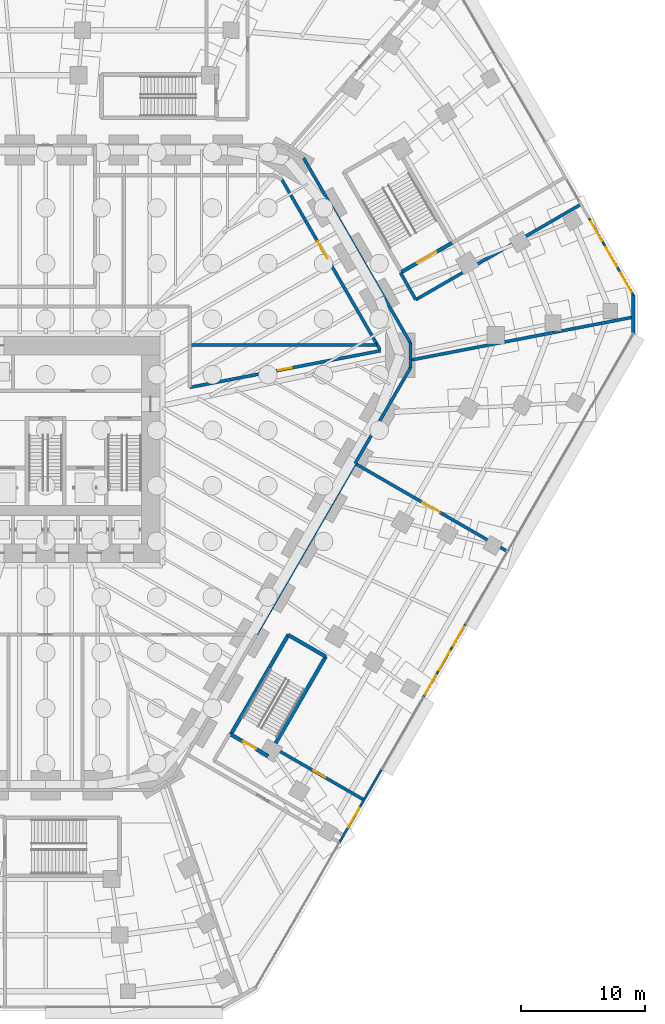
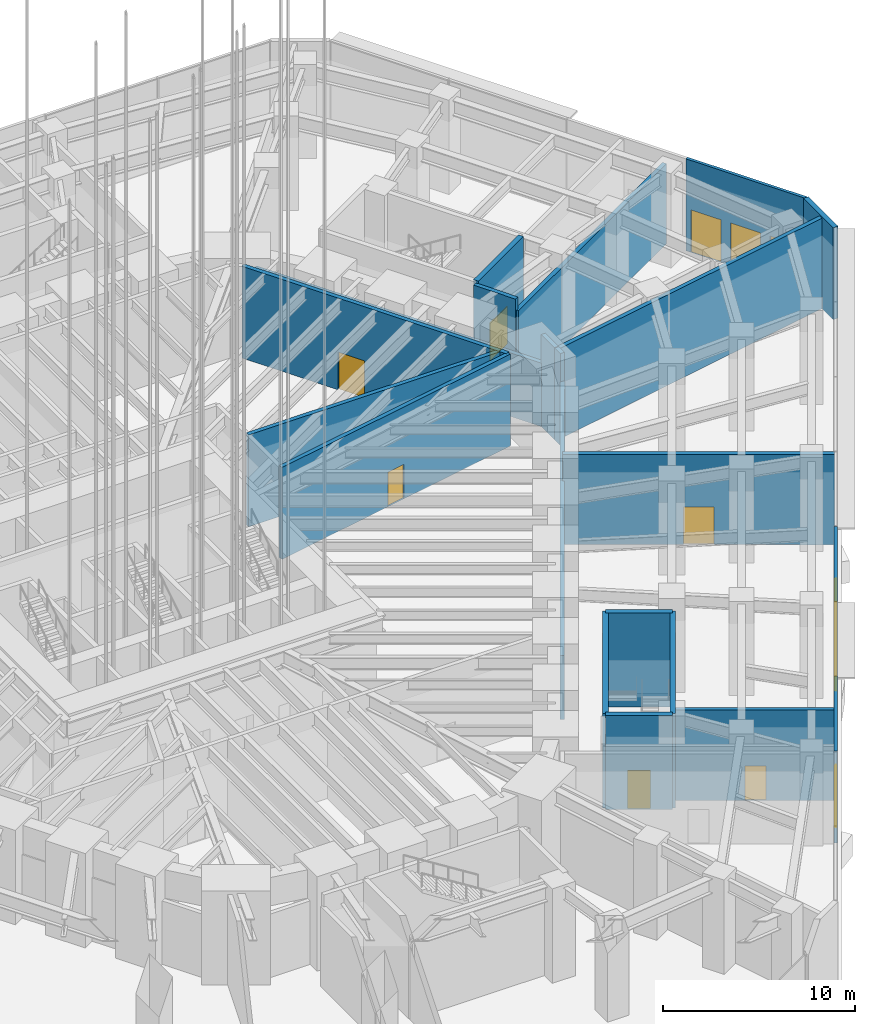
# One storey, part 21 of 34: 23 walls, 13 doors, 13 openings.
"""IFC4 building model written with IfcOpenShell, lengths in metres."""

from ifc_helpers import new_model, si_unit, direction, frame, frame_2d, origin, place, context, subcontext, project, spatial, rectangle, extrude, material, layer, layer_set, type_object, element, fill, save


model = new_model("IFC4")

# Units and contexts
model_context = context("Model", 3, precision=1e-05, world=origin(), true_north=direction((0.0, 1.0)))
body_context = subcontext(model_context, "Body", "Model", "MODEL_VIEW")
ifc_project = project(units=[si_unit("LENGTHUNIT", "METRE"), si_unit("AREAUNIT", "SQUARE_METRE"), si_unit("VOLUMEUNIT", "CUBIC_METRE"), si_unit("PLANEANGLEUNIT", "RADIAN"), si_unit("MASSUNIT", "GRAM", prefix="KILO")], contexts=[model_context])

# Site, building, storey
site_placement = place(None, origin())
site = spatial("IfcSite", under=ifc_project, at=site_placement, CompositionType="ELEMENT")
building_placement = place(site_placement, origin())
building = spatial("IfcBuilding", under=site, at=building_placement, Name="Sandreach Pilgrim Tower", CompositionType="ELEMENT")
storey_placement = place(building_placement, origin())
storey = spatial("IfcBuildingStorey", under=building, at=storey_placement, Name="L00", CompositionType="ELEMENT", Elevation=0.0)

# Wall, openings, doors
ifc_material_1 = material(Name="Glazed aluminium screen", Category="aluminium")
ifc_layer_1 = layer(ifc_material_1, 0.179931640625)
ifc_layer_set_1 = layer_set([ifc_layer_1], Name="Glazed entrance screen wall")
wall_type_1 = type_object("IfcWallType", Name="Glazed entrance screen wall", PredefinedType="SOLIDWALL", material=ifc_layer_set_1)
wall_1_placement = place(storey_placement, frame((44.005615234375, 17.1435546875, 0.0), z_axis=(0.0, 0.0, 1.0), x_axis=(0.500013836808, -0.866017414952, 0.0)))
wall_1 = element("IfcWall", 1, at=wall_1_placement, inside=storey, type_object=wall_type_1, Name="Entrance screen wall L00 NE", PredefinedType="SOLIDWALL", context=body_context, shape_type="SweptSolid", body=[
    extrude(rectangle(XDim=7.156005859375, YDim=0.179931640625, at=frame_2d((3.578125, 0.0))), origin(), (0.0, 0.0, 1.0), 5.840087890625),
])
opening_1_placement = place(wall_1_placement, frame((0.292724609375, 0.0, 0.0)))
opening_1 = element("IfcOpeningElement", 2, at=opening_1_placement, cuts=wall_1, Name="Opening D18-NE1", PredefinedType="OPENING", context=body_context, shape_type="SweptSolid", body=[
    extrude(rectangle(XDim=1.800048828125, YDim=2.699951171875, at=frame_2d((0.89990234375, 1.35009765625))), frame((0.0, 0.08984375, 0.0), z_axis=(0.0, -1.0, 0.0), x_axis=(1.0, 0.0, 0.0)), (0.0, 0.0, 1.0), 0.179931640625),
])
opening_2_placement = place(wall_1_placement, frame((2.677978515625, 0.0, 0.0)))
opening_2 = element("IfcOpeningElement", 3, at=opening_2_placement, cuts=wall_1, Name="Opening D18-NE2", PredefinedType="OPENING", context=body_context, shape_type="SweptSolid", body=[
    extrude(rectangle(XDim=1.800048828125, YDim=2.699951171875, at=frame_2d((0.89990234375, 1.35009765625))), frame((0.0, 0.08984375, 0.0), z_axis=(0.0, -1.0, 0.0), x_axis=(1.0, 0.0, 0.0)), (0.0, 0.0, 1.0), 0.179931640625),
])
opening_3_placement = place(wall_1_placement, frame((5.063232421875, 0.0, 0.0)))
opening_3 = element("IfcOpeningElement", 4, at=opening_3_placement, cuts=wall_1, Name="Opening D18-NE3", PredefinedType="OPENING", context=body_context, shape_type="SweptSolid", body=[
    extrude(rectangle(XDim=1.800048828125, YDim=2.699951171875, at=frame_2d((0.89990234375, 1.35009765625))), frame((0.0, 0.08984375, 0.0), z_axis=(0.0, -1.0, 0.0), x_axis=(1.0, 0.0, 0.0)), (0.0, 0.0, 1.0), 0.179931640625),
])
ifc_material_2 = material(Name="Aluminium and glass", Category="aluminium")
door_type_1 = type_object("IfcDoorType", Name="Entrance double door", OperationType="DOUBLE_DOOR_SINGLE_SWING", PredefinedType="DOOR", material=ifc_material_2)
door_1_placement = place(opening_1_placement, origin())
door_1 = element("IfcDoor", 5, at=door_1_placement, inside=storey, type_object=door_type_1, Name="Entrance door L00 NE1", OperationType="SINGLE_SWING_LEFT", OverallHeight=2.699951171875, OverallWidth=1.800048828125, PredefinedType="DOOR", context=body_context, shape_type="SweptSolid", body=[
    extrude(rectangle(XDim=1.800048828125, YDim=2.699951171875, at=frame_2d((0.89990234375, 1.35009765625))), frame((0.0, 0.02490234375, 0.0), z_axis=(0.0, -1.0, 0.0), x_axis=(1.0, 0.0, 0.0)), (0.0, 0.0, 1.0), 0.050048828125),
])
fill(opening_1, door_1)
door_2_placement = place(opening_2_placement, origin())
door_2 = element("IfcDoor", 6, at=door_2_placement, inside=storey, type_object=door_type_1, Name="Entrance door L00 NE2", OperationType="SINGLE_SWING_LEFT", OverallHeight=2.699951171875, OverallWidth=1.800048828125, PredefinedType="DOOR", context=body_context, shape_type="SweptSolid", body=[
    extrude(rectangle(XDim=1.800048828125, YDim=2.699951171875, at=frame_2d((0.89990234375, 1.35009765625))), frame((0.0, 0.02490234375, 0.0), z_axis=(0.0, -1.0, 0.0), x_axis=(1.0, 0.0, 0.0)), (0.0, 0.0, 1.0), 0.050048828125),
])
fill(opening_2, door_2)
door_3_placement = place(opening_3_placement, origin())
door_3 = element("IfcDoor", 7, at=door_3_placement, inside=storey, type_object=door_type_1, Name="Entrance door L00 NE3", OperationType="SINGLE_SWING_LEFT", OverallHeight=2.699951171875, OverallWidth=1.800048828125, PredefinedType="DOOR", context=body_context, shape_type="SweptSolid", body=[
    extrude(rectangle(XDim=1.800048828125, YDim=2.699951171875, at=frame_2d((0.89990234375, 1.35009765625))), frame((0.0, 0.02490234375, 0.0), z_axis=(0.0, -1.0, 0.0), x_axis=(1.0, 0.0, 0.0)), (0.0, 0.0, 1.0), 0.050048828125),
])
fill(opening_3, door_3)

wall_2_placement = place(storey_placement, frame((33.989501953125, -15.699462890625, 0.0), z_axis=(0.0, 0.0, 1.0), x_axis=(-0.500013675503, -0.866017508085, 0.0)))
wall_2 = element("IfcWall", 8, at=wall_2_placement, inside=storey, type_object=wall_type_1, Name="Entrance screen wall L00 SE", PredefinedType="SOLIDWALL", context=body_context, shape_type="SweptSolid", body=[
    extrude(rectangle(XDim=6.797119140625, YDim=0.179931640625, at=frame_2d((3.3984375, 0.0))), origin(), (0.0, 0.0, 1.0), 5.840087890625),
])
opening_4_placement = place(wall_2_placement, frame((0.23291015625, 0.0, 0.0)))
opening_4 = element("IfcOpeningElement", 9, at=opening_4_placement, cuts=wall_2, Name="Opening D18-SE1", PredefinedType="OPENING", context=body_context, shape_type="SweptSolid", body=[
    extrude(rectangle(XDim=1.800048828125, YDim=2.699951171875, at=frame_2d((0.89990234375, 1.35009765625))), frame((0.0, 0.08984375, 0.0), z_axis=(0.0, -1.0, 0.0), x_axis=(1.0, 0.0, 0.0)), (0.0, 0.0, 1.0), 0.179931640625),
])
opening_5_placement = place(wall_2_placement, frame((2.49853515625, 0.0, 0.0)))
opening_5 = element("IfcOpeningElement", 10, at=opening_5_placement, cuts=wall_2, Name="Opening D18-SE2", PredefinedType="OPENING", context=body_context, shape_type="SweptSolid", body=[
    extrude(rectangle(XDim=1.800048828125, YDim=2.699951171875, at=frame_2d((0.89990234375, 1.35009765625))), frame((0.0, 0.08984375, 0.0), z_axis=(0.0, -1.0, 0.0), x_axis=(1.0, 0.0, 0.0)), (0.0, 0.0, 1.0), 0.179931640625),
])
opening_6_placement = place(wall_2_placement, frame((4.76416015625, 0.0, 0.0)))
opening_6 = element("IfcOpeningElement", 11, at=opening_6_placement, cuts=wall_2, Name="Opening D18-SE3", PredefinedType="OPENING", context=body_context, shape_type="SweptSolid", body=[
    extrude(rectangle(XDim=1.800048828125, YDim=2.699951171875, at=frame_2d((0.89990234375, 1.35009765625))), frame((0.0, 0.08984375, 0.0), z_axis=(0.0, -1.0, 0.0), x_axis=(1.0, 0.0, 0.0)), (0.0, 0.0, 1.0), 0.179931640625),
])
door_4_placement = place(opening_4_placement, origin())
door_4 = element("IfcDoor", 12, at=door_4_placement, inside=storey, type_object=door_type_1, Name="Entrance door L00 SE1", OperationType="SINGLE_SWING_LEFT", OverallHeight=2.699951171875, OverallWidth=1.800048828125, PredefinedType="DOOR", context=body_context, shape_type="SweptSolid", body=[
    extrude(rectangle(XDim=1.800048828125, YDim=2.699951171875, at=frame_2d((0.89990234375, 1.35009765625))), frame((0.0, 0.02490234375, 0.0), z_axis=(0.0, -1.0, 0.0), x_axis=(1.0, 0.0, 0.0)), (0.0, 0.0, 1.0), 0.050048828125),
])
fill(opening_4, door_4)
door_5_placement = place(opening_5_placement, origin())
door_5 = element("IfcDoor", 13, at=door_5_placement, inside=storey, type_object=door_type_1, Name="Entrance door L00 SE2", OperationType="SINGLE_SWING_LEFT", OverallHeight=2.699951171875, OverallWidth=1.800048828125, PredefinedType="DOOR", context=body_context, shape_type="SweptSolid", body=[
    extrude(rectangle(XDim=1.800048828125, YDim=2.699951171875, at=frame_2d((0.89990234375, 1.35009765625))), frame((0.0, 0.02490234375, 0.0), z_axis=(0.0, -1.0, 0.0), x_axis=(1.0, 0.0, 0.0)), (0.0, 0.0, 1.0), 0.050048828125),
])
fill(opening_5, door_5)
door_6_placement = place(opening_6_placement, origin())
door_6 = element("IfcDoor", 14, at=door_6_placement, inside=storey, type_object=door_type_1, Name="Entrance door L00 SE3", OperationType="SINGLE_SWING_LEFT", OverallHeight=2.699951171875, OverallWidth=1.800048828125, PredefinedType="DOOR", context=body_context, shape_type="SweptSolid", body=[
    extrude(rectangle(XDim=1.800048828125, YDim=2.699951171875, at=frame_2d((0.89990234375, 1.35009765625))), frame((0.0, 0.02490234375, 0.0), z_axis=(0.0, -1.0, 0.0), x_axis=(1.0, 0.0, 0.0)), (0.0, 0.0, 1.0), 0.050048828125),
])
fill(opening_6, door_6)

# Wall, opening, door
wall_3_placement = place(storey_placement, frame((27.1923828125, -27.472412109375, 0.0), z_axis=(0.0, 0.0, 1.0), x_axis=(-0.500013675503, -0.866017508085, 0.0)))
wall_3 = element("IfcWall", 15, at=wall_3_placement, inside=storey, type_object=wall_type_1, Name="Exit screen wall L00 SE", PredefinedType="SOLIDWALL", context=body_context, shape_type="SweptSolid", body=[
    extrude(rectangle(XDim=6.797119140625, YDim=0.179931640625, at=frame_2d((3.3984375, 0.0))), origin(), (0.0, 0.0, 1.0), 5.840087890625),
])
opening_7_placement = place(wall_3_placement, frame((3.583984375, 0.0, 0.0)))
opening_7 = element("IfcOpeningElement", 16, at=opening_7_placement, cuts=wall_3, Name="Opening D18-SEX", PredefinedType="OPENING", context=body_context, shape_type="SweptSolid", body=[
    extrude(rectangle(XDim=1.800048828125, YDim=2.699951171875, at=frame_2d((0.89990234375, 1.35009765625))), frame((0.0, 0.08984375, 0.0), z_axis=(0.0, -1.0, 0.0), x_axis=(1.0, 0.0, 0.0)), (0.0, 0.0, 1.0), 0.179931640625),
])
door_7_placement = place(opening_7_placement, origin())
door_7 = element("IfcDoor", 17, at=door_7_placement, inside=storey, type_object=door_type_1, Name="Exit door L00 SE from stair ST8", OperationType="SINGLE_SWING_LEFT", OverallHeight=2.699951171875, OverallWidth=1.800048828125, PredefinedType="DOOR", context=body_context, shape_type="SweptSolid", body=[
    extrude(rectangle(XDim=1.800048828125, YDim=2.699951171875, at=frame_2d((0.89990234375, 1.35009765625))), frame((0.0, 0.02490234375, 0.0), z_axis=(0.0, -1.0, 0.0), x_axis=(1.0, 0.0, 0.0)), (0.0, 0.0, 1.0), 0.050048828125),
])
fill(opening_7, door_7)

# Wall
ifc_material_3 = material(Name="Acoustic gypsum board wall, double frame", Category="gypsum")
ifc_layer_2 = layer(ifc_material_3, 0.25)
ifc_layer_set_2 = layer_set([ifc_layer_2], Name="Hall partition 250")
wall_type_2 = type_object("IfcWallType", Name="Hall partition 250", PredefinedType="PARTITIONING", material=ifc_layer_set_2)
wall_4_placement = place(storey_placement, frame((17.070068359375, -16.52001953125, 0.0), z_axis=(0.0, 0.0, 1.0), x_axis=(0.500243727505, 0.865884641908, 0.0)))
element("IfcWall", 18, at=wall_4_placement, inside=storey, type_object=wall_type_2, Name="Hall partition L00-071", PredefinedType="PARTITIONING", context=body_context, shape_type="SweptSolid", body=[
    extrude(rectangle(XDim=15.97216796875, YDim=0.25, at=frame_2d((7.986083984375, 0.0))), origin(), (0.0, 0.0, 1.0), 4.0400390625),
])

# Wall, opening, door
wall_5_placement = place(storey_placement, frame((18.56005859375, -25.760009765625, 0.0), z_axis=(0.0, 0.0, 1.0), x_axis=(0.865938897634, -0.500149803123, 0.0)))
wall_5 = element("IfcWall", 19, at=wall_5_placement, inside=storey, type_object=wall_type_2, Name="Hall partition L00-073", PredefinedType="PARTITIONING", context=body_context, shape_type="SweptSolid", body=[
    extrude(rectangle(XDim=8.3076171875, YDim=0.25, at=frame_2d((4.15380859375, 0.0))), origin(), (0.0, 0.0, 1.0), 5.75),
])
opening_8_placement = place(wall_5_placement, frame((3.603759765625, 0.0, 0.0)))
opening_8 = element("IfcOpeningElement", 20, at=opening_8_placement, cuts=wall_5, Name="Opening D11H-E8", PredefinedType="OPENING", context=body_context, shape_type="SweptSolid", body=[
    extrude(rectangle(XDim=1.10009765625, YDim=2.199951171875, at=frame_2d((0.550048828125, 1.10009765625))), frame((0.0, 0.125, 0.0), z_axis=(0.0, -1.0, 0.0), x_axis=(1.0, 0.0, 0.0)), (0.0, 0.0, 1.0), 0.25),
])
ifc_material_4 = material(Name="Steel door and frame", Category="steel")
door_type_2 = type_object("IfcDoorType", Name="Back of house door", OperationType="SINGLE_SWING_LEFT", PredefinedType="DOOR", material=ifc_material_4)
door_8_placement = place(opening_8_placement, origin())
door_8 = element("IfcDoor", 21, at=door_8_placement, inside=storey, type_object=door_type_2, Name="Door 00E8", OperationType="SINGLE_SWING_LEFT", OverallHeight=2.199951171875, OverallWidth=1.10009765625, PredefinedType="DOOR", context=body_context, shape_type="SweptSolid", body=[
    extrude(rectangle(XDim=1.10009765625, YDim=2.199951171875, at=frame_2d((0.550048828125, 1.10009765625))), frame((0.0, 0.02490234375, 0.0), z_axis=(0.0, -1.0, 0.0), x_axis=(1.0, 0.0, 0.0)), (0.0, 0.0, 1.0), 0.050048828125),
])
fill(opening_8, door_8)

# Wall
wall_6_placement = place(storey_placement, frame((25.06005859375, -2.68994140625, 0.0), z_axis=(0.0, 0.0, 1.0), x_axis=(0.500462066422, 0.865758465204, 0.0)))
element("IfcWall", 22, at=wall_6_placement, inside=storey, type_object=wall_type_2, Name="Hall partition L00-078", PredefinedType="PARTITIONING", context=body_context, shape_type="SweptSolid", body=[
    extrude(rectangle(XDim=8.95166015625, YDim=0.25, at=frame_2d((4.475830078125, 0.0))), origin(), (0.0, 0.0, 1.0), 4.0400390625),
])

# Wall, opening, door
wall_7_placement = place(storey_placement, frame((25.06005859375, -2.68994140625, 0.0), z_axis=(0.0, 0.0, 1.0), x_axis=(0.865986126124, -0.500068024733, 0.0)))
wall_7 = element("IfcWall", 23, at=wall_7_placement, inside=storey, type_object=wall_type_2, Name="Hall partition L00-079", PredefinedType="PARTITIONING", context=body_context, shape_type="SweptSolid", body=[
    extrude(rectangle(XDim=14.2080078125, YDim=0.25, at=frame_2d((7.10400390625, 0.0))), origin(), (0.0, 0.0, 1.0), 5.75),
])
opening_9_placement = place(wall_7_placement, frame((6.303955078125, 0.0, 0.0)))
opening_9 = element("IfcOpeningElement", 24, at=opening_9_placement, cuts=wall_7, Name="Opening D16-N1", PredefinedType="OPENING", context=body_context, shape_type="SweptSolid", body=[
    extrude(rectangle(XDim=1.60009765625, YDim=2.39990234375, at=frame_2d((0.800048828125, 1.199951171875))), frame((0.0, 0.125, 0.0), z_axis=(0.0, -1.0, 0.0), x_axis=(1.0, 0.0, 0.0)), (0.0, 0.0, 1.0), 0.25),
])
ifc_material_5 = material(Name="Steel door and frame", Category="steel")
door_type_3 = type_object("IfcDoorType", Name="Hall double door", OperationType="DOUBLE_DOOR_SINGLE_SWING", PredefinedType="DOOR", material=ifc_material_5)
door_9_placement = place(opening_9_placement, origin())
door_9 = element("IfcDoor", 25, at=door_9_placement, inside=storey, type_object=door_type_3, Name="Door 00N1", OperationType="DOUBLE_DOOR_SINGLE_SWING", OverallHeight=2.39990234375, OverallWidth=1.60009765625, PredefinedType="DOOR", context=body_context, shape_type="SweptSolid", body=[
    extrude(rectangle(XDim=1.60009765625, YDim=2.39990234375, at=frame_2d((0.800048828125, 1.199951171875))), frame((0.0, 0.02490234375, 0.0), z_axis=(0.0, -1.0, 0.0), x_axis=(1.0, 0.0, 0.0)), (0.0, 0.0, 1.0), 0.050048828125),
])
fill(opening_9, door_9)

# Wall
wall_8_placement = place(storey_placement, frame((26.85009765625, 6.89990234375, 0.0), z_axis=(0.0, 0.0, 1.0), x_axis=(-1.0, 0.0, 0.0)))
element("IfcWall", 26, at=wall_8_placement, inside=storey, type_object=wall_type_2, Name="Hall partition L00-080", PredefinedType="PARTITIONING", context=body_context, shape_type="SweptSolid", body=[
    extrude(rectangle(XDim=15.18017578125, YDim=0.25, at=frame_2d((7.590087890625, 0.0))), origin(), (0.0, 0.0, 1.0), 5.840087890625),
])

# Wall, opening, door
wall_9_placement = place(storey_placement, frame((26.860107421875, 6.89990234375, 0.0), z_axis=(0.0, 0.0, 1.0), x_axis=(-0.499972135205, 0.866041490934, 0.0)))
wall_9 = element("IfcWall", 27, at=wall_9_placement, inside=storey, type_object=wall_type_2, Name="Hall partition L00-081", PredefinedType="PARTITIONING", context=body_context, shape_type="SweptSolid", body=[
    extrude(rectangle(XDim=15.46142578125, YDim=0.25, at=frame_2d((7.730712890625, 0.0))), origin(), (0.0, 0.0, 1.0), 5.840087890625),
])
opening_10_placement = place(wall_9_placement, frame((8.08056640625, 0.0, 0.0)))
opening_10 = element("IfcOpeningElement", 28, at=opening_10_placement, cuts=wall_9, Name="Opening D16-B1", PredefinedType="OPENING", context=body_context, shape_type="SweptSolid", body=[
    extrude(rectangle(XDim=1.60009765625, YDim=2.39990234375, at=frame_2d((0.800048828125, 1.199951171875))), frame((0.0, 0.125, 0.0), z_axis=(0.0, -1.0, 0.0), x_axis=(1.0, 0.0, 0.0)), (0.0, 0.0, 1.0), 0.25),
])
door_10_placement = place(opening_10_placement, origin())
door_10 = element("IfcDoor", 29, at=door_10_placement, inside=storey, type_object=door_type_3, Name="Door 00B1", OperationType="DOUBLE_DOOR_SINGLE_SWING", OverallHeight=2.39990234375, OverallWidth=1.60009765625, PredefinedType="DOOR", context=body_context, shape_type="SweptSolid", body=[
    extrude(rectangle(XDim=1.60009765625, YDim=2.39990234375, at=frame_2d((0.800048828125, 1.199951171875))), frame((0.0, 0.02490234375, 0.0), z_axis=(0.0, -1.0, 0.0), x_axis=(1.0, 0.0, 0.0)), (0.0, 0.0, 1.0), 0.050048828125),
])
fill(opening_10, door_10)

# Wall
wall_10_placement = place(storey_placement, frame((26.867431640625, 6.886962890625, 0.0), z_axis=(0.0, 0.0, 1.0), x_axis=(0.49170458892, -0.870762078432, 0.0)))
element("IfcWall", 30, at=wall_10_placement, inside=storey, type_object=wall_type_2, Name="Hall partition L00-082", PredefinedType="PARTITIONING", context=body_context, shape_type="SweptSolid", body=[
    extrude(rectangle(XDim=0.433349609375, YDim=0.25, at=frame_2d((0.216796875, 0.0))), origin(), (0.0, 0.0, 1.0), 5.840087890625),
])

# Wall, opening, door
wall_11_placement = place(storey_placement, frame((27.1201171875, 6.43994140625, 0.0), z_axis=(0.0, 0.0, 1.0), x_axis=(-0.982020832849, -0.188772571765, 0.0)))
wall_11 = element("IfcWall", 31, at=wall_11_placement, inside=storey, type_object=wall_type_2, Name="Hall partition L00-083", PredefinedType="PARTITIONING", context=body_context, shape_type="SweptSolid", body=[
    extrude(rectangle(XDim=15.733154296875, YDim=0.25, at=frame_2d((7.86669921875, 0.0))), origin(), (0.0, 0.0, 1.0), 5.840087890625),
])
opening_11_placement = place(wall_11_placement, frame((7.31640625, 0.0, 0.0)))
opening_11 = element("IfcOpeningElement", 32, at=opening_11_placement, cuts=wall_11, Name="Opening D11H-N4", PredefinedType="OPENING", context=body_context, shape_type="SweptSolid", body=[
    extrude(rectangle(XDim=1.10009765625, YDim=2.199951171875, at=frame_2d((0.550048828125, 1.10009765625))), frame((0.0, 0.125, 0.0), z_axis=(0.0, -1.0, 0.0), x_axis=(1.0, 0.0, 0.0)), (0.0, 0.0, 1.0), 0.25),
])
door_11_placement = place(opening_11_placement, origin())
door_11 = element("IfcDoor", 33, at=door_11_placement, inside=storey, type_object=door_type_2, Name="Door 00N4", OperationType="SINGLE_SWING_LEFT", OverallHeight=2.199951171875, OverallWidth=1.10009765625, PredefinedType="DOOR", context=body_context, shape_type="SweptSolid", body=[
    extrude(rectangle(XDim=1.10009765625, YDim=2.199951171875, at=frame_2d((0.550048828125, 1.10009765625))), frame((0.0, 0.02490234375, 0.0), z_axis=(0.0, -1.0, 0.0), x_axis=(1.0, 0.0, 0.0)), (0.0, 0.0, 1.0), 0.050048828125),
])
fill(opening_11, door_11)

# Walls
wall_12_placement = place(storey_placement, frame((28.72998046875, 12.760009765625, 0.0), z_axis=(0.0, 0.0, 1.0), x_axis=(0.492718818431, -0.87018858069, 0.0)))
element("IfcWall", 34, at=wall_12_placement, inside=storey, type_object=wall_type_2, Name="Hall partition L00-084", PredefinedType="PARTITIONING", context=body_context, shape_type="SweptSolid", body=[
    extrude(rectangle(XDim=2.5166015625, YDim=0.25, at=frame_2d((1.25830078125, 0.0))), origin(), (0.0, 0.0, 1.0), 5.840087890625),
])
wall_13_placement = place(storey_placement, frame((29.5400390625, 5.06005859375, 0.0), z_axis=(0.0, 0.0, 1.0), x_axis=(0.0, 1.0, 0.0)))
element("IfcWall", 35, at=wall_13_placement, inside=storey, type_object=wall_type_2, Name="Hall partition L00-085", PredefinedType="PARTITIONING", context=body_context, shape_type="SweptSolid", body=[
    extrude(rectangle(XDim=0.5849609375, YDim=0.25, at=frame_2d((0.29248046875, 0.0))), origin(), (0.0, 0.0, 1.0), 5.840087890625),
])
wall_14_placement = place(storey_placement, frame((29.5400390625, 5.679931640625, 0.0), z_axis=(0.0, 0.0, 1.0), x_axis=(0.0, 1.0, 0.0)))
element("IfcWall", 36, at=wall_14_placement, inside=storey, type_object=wall_type_2, Name="Hall partition L00-086", PredefinedType="PARTITIONING", context=body_context, shape_type="SweptSolid", body=[
    extrude(rectangle(XDim=1.380126953125, YDim=0.25, at=frame_2d((0.68994140625, 0.0))), origin(), (0.0, 0.0, 1.0), 5.840087890625),
])
wall_15_placement = place(storey_placement, frame((29.5400390625, 7.06005859375, 0.0), z_axis=(0.0, 0.0, 1.0), x_axis=(-0.500235539918, 0.865889372035, 0.0)))
element("IfcWall", 37, at=wall_15_placement, inside=storey, type_object=wall_type_2, Name="Hall partition L00-087", PredefinedType="PARTITIONING", context=body_context, shape_type="SweptSolid", body=[
    extrude(rectangle(XDim=17.311767578125, YDim=0.25, at=frame_2d((8.65576171875, 0.0))), origin(), (0.0, 0.0, 1.0), 4.0400390625),
])
wall_16_placement = place(storey_placement, frame((29.969970703125, 10.570068359375, 0.0), z_axis=(0.0, 0.0, 1.0), x_axis=(0.866006423824, 0.500032872815, 0.0)))
element("IfcWall", 38, at=wall_16_placement, inside=storey, type_object=wall_type_2, Name="Hall partition L00-088", PredefinedType="PARTITIONING", context=body_context, shape_type="SweptSolid", body=[
    extrude(rectangle(XDim=15.40869140625, YDim=0.25, at=frame_2d((7.704345703125, 0.0))), origin(), (0.0, 0.0, 1.0), 5.0830078125),
])
wall_17_placement = place(storey_placement, frame((47.6005859375, 9.164306640625, 0.0), z_axis=(0.0, 0.0, 1.0), x_axis=(-0.981893421599, -0.189434180181, 0.0)))
element("IfcWall", 39, at=wall_17_placement, inside=storey, type_object=wall_type_2, Name="Hall partition L00-091", PredefinedType="PARTITIONING", context=body_context, shape_type="SweptSolid", body=[
    extrude(rectangle(XDim=18.3935546875, YDim=0.25, at=frame_2d((9.19677734375, 0.0))), origin(), (0.0, 0.0, 1.0), 5.75),
])

# Wall, opening, door
ifc_material_6 = material(Name="Concrete 8000 psi", Category="concrete")
ifc_layer_3 = layer(ifc_material_6, 0.300048828125)
ifc_layer_set_3 = layer_set([ifc_layer_3], Name="Podium stair enclosure 300")
wall_type_3 = type_object("IfcWallType", Name="Podium stair enclosure 300", PredefinedType="SHEAR", material=ifc_layer_set_3)
wall_18_placement = place(storey_placement, frame((32.88525390625, 15.162841796875, 0.0), z_axis=(0.0, 0.0, 1.0), x_axis=(-0.866038532462, -0.499977259774, 0.0)))
wall_18 = element("IfcWall", 40, at=wall_18_placement, inside=storey, type_object=wall_type_3, Name="Stair ST4 enclosure L00 4", PredefinedType="SHEAR", context=body_context, shape_type="SweptSolid", body=[
    extrude(rectangle(XDim=4.699951171875, YDim=0.300048828125, at=frame_2d((2.35009765625, 0.0))), origin(), (0.0, 0.0, 1.0), 6.0),
])
opening_12_placement = place(wall_18_placement, frame((1.449951171875, 0.0, 0.0)))
opening_12 = element("IfcOpeningElement", 41, at=opening_12_placement, cuts=wall_18, Name="Opening D18S-ST4", PredefinedType="OPENING", context=body_context, shape_type="SweptSolid", body=[
    extrude(rectangle(XDim=1.800048828125, YDim=2.39990234375, at=frame_2d((0.89990234375, 1.199951171875))), frame((0.0, 0.14990234375, 0.0), z_axis=(0.0, -1.0, 0.0), x_axis=(1.0, 0.0, 0.0)), (0.0, 0.0, 1.0), 0.300048828125),
])
ifc_material_7 = material(Name="Steel door and frame", Category="steel")
door_type_4 = type_object("IfcDoorType", Name="Podium stair door", OperationType="DOUBLE_DOOR_SINGLE_SWING", PredefinedType="DOOR", material=ifc_material_7)
door_12_placement = place(opening_12_placement, origin())
door_12 = element("IfcDoor", 42, at=door_12_placement, inside=storey, type_object=door_type_4, Name="Stair door ST4 L00", OperationType="DOUBLE_DOOR_SINGLE_SWING", OverallHeight=2.39990234375, OverallWidth=1.800048828125, PredefinedType="DOOR", context=body_context, shape_type="SweptSolid", body=[
    extrude(rectangle(XDim=1.800048828125, YDim=2.39990234375, at=frame_2d((0.89990234375, 1.199951171875))), frame((0.0, 0.02490234375, 0.0), z_axis=(0.0, -1.0, 0.0), x_axis=(1.0, 0.0, 0.0)), (0.0, 0.0, 1.0), 0.050048828125),
])
fill(opening_12, door_12)

# Walls
wall_19_placement = place(storey_placement, frame((14.994384765625, -24.626220703125, 0.0), z_axis=(0.0, 0.0, 1.0), x_axis=(0.500015592816, 0.866016401081, 0.0)))
element("IfcWall", 43, at=wall_19_placement, inside=storey, type_object=wall_type_3, Name="Stair ST8 enclosure L00 1", PredefinedType="SHEAR", context=body_context, shape_type="SweptSolid", body=[
    extrude(rectangle(XDim=9.300048828125, YDim=0.300048828125, at=frame_2d((4.64990234375, 0.0))), origin(), (0.0, 0.0, 1.0), 6.0),
])
wall_20_placement = place(storey_placement, frame((19.64453125, -16.572265625, 0.0), z_axis=(0.0, 0.0, 1.0), x_axis=(0.866019471182, -0.500010275428, 0.0)))
element("IfcWall", 44, at=wall_20_placement, inside=storey, type_object=wall_type_3, Name="Stair ST8 enclosure L00 2", PredefinedType="SHEAR", context=body_context, shape_type="SweptSolid", body=[
    extrude(rectangle(XDim=3.5, YDim=0.300048828125, at=frame_2d((1.75, 0.0))), origin(), (0.0, 0.0, 1.0), 6.0),
])
wall_21_placement = place(storey_placement, frame((22.675537109375, -18.322265625, 0.0), z_axis=(0.0, 0.0, 1.0), x_axis=(-0.499995904083, -0.86602776855, 0.0)))
element("IfcWall", 45, at=wall_21_placement, inside=storey, type_object=wall_type_3, Name="Stair ST8 enclosure L00 3", PredefinedType="SHEAR", context=body_context, shape_type="SweptSolid", body=[
    extrude(rectangle(XDim=9.2998046875, YDim=0.300048828125, at=frame_2d((4.64990234375, 0.0))), origin(), (0.0, 0.0, 1.0), 6.0),
])

# Wall, opening, door
wall_22_placement = place(storey_placement, frame((18.025634765625, -26.376220703125, 0.0), z_axis=(0.0, 0.0, 1.0), x_axis=(-0.866036909293, 0.499980071345, 0.0)))
wall_22 = element("IfcWall", 46, at=wall_22_placement, inside=storey, type_object=wall_type_3, Name="Stair ST8 enclosure L00 4", PredefinedType="SHEAR", context=body_context, shape_type="SweptSolid", body=[
    extrude(rectangle(XDim=3.500244140625, YDim=0.300048828125, at=frame_2d((1.75, 0.0))), origin(), (0.0, 0.0, 1.0), 6.0),
])
opening_13_placement = place(wall_22_placement, frame((1.14990234375, 0.0, 0.0)))
opening_13 = element("IfcOpeningElement", 47, at=opening_13_placement, cuts=wall_22, Name="Opening D12S-ST8", PredefinedType="OPENING", context=body_context, shape_type="SweptSolid", body=[
    extrude(rectangle(XDim=1.199951171875, YDim=2.39990234375, at=frame_2d((0.60009765625, 1.199951171875))), frame((0.0, 0.14990234375, 0.0), z_axis=(0.0, -1.0, 0.0), x_axis=(1.0, 0.0, 0.0)), (0.0, 0.0, 1.0), 0.300048828125),
])
ifc_material_8 = material(Name="Steel door and frame", Category="steel")
door_type_5 = type_object("IfcDoorType", Name="Narrow podium stair door", OperationType="SINGLE_SWING_LEFT", PredefinedType="DOOR", material=ifc_material_8)
door_13_placement = place(opening_13_placement, origin())
door_13 = element("IfcDoor", 48, at=door_13_placement, inside=storey, type_object=door_type_5, Name="Stair door ST8 L00", OperationType="SINGLE_SWING_LEFT", OverallHeight=2.39990234375, OverallWidth=1.199951171875, PredefinedType="DOOR", context=body_context, shape_type="SweptSolid", body=[
    extrude(rectangle(XDim=1.199951171875, YDim=2.39990234375, at=frame_2d((0.60009765625, 1.199951171875))), frame((0.0, 0.02490234375, 0.0), z_axis=(0.0, -1.0, 0.0), x_axis=(1.0, 0.0, 0.0)), (0.0, 0.0, 1.0), 0.050048828125),
])
fill(opening_13, door_13)

# Wall
ifc_material_9 = material(Name="Terracotta rainscreen on concrete", Category="masonry")
ifc_layer_4 = layer(ifc_material_9, 0.300048828125)
ifc_layer_set_4 = layer_set([ifc_layer_4], Name="Terracotta chamfer pier")
wall_type_4 = type_object("IfcWallType", Name="Terracotta chamfer pier", PredefinedType="SOLIDWALL", material=ifc_layer_set_4)
wall_23_placement = place(storey_placement, frame((47.583740234375, 10.9462890625, 0.0), z_axis=(0.0, 0.0, 1.0), x_axis=(0.0, -1.0, 0.0)))
element("IfcWall", 49, at=wall_23_placement, inside=storey, type_object=wall_type_4, Name="Chamfer pier L00 NE", PredefinedType="SOLIDWALL", context=body_context, shape_type="SweptSolid", body=[
    extrude(rectangle(XDim=3.099853515625, YDim=0.300048828125, at=frame_2d((1.5498046875, 0.0))), origin(), (0.0, 0.0, 1.0), 5.840087890625),
])

save(model, "model.ifc")
